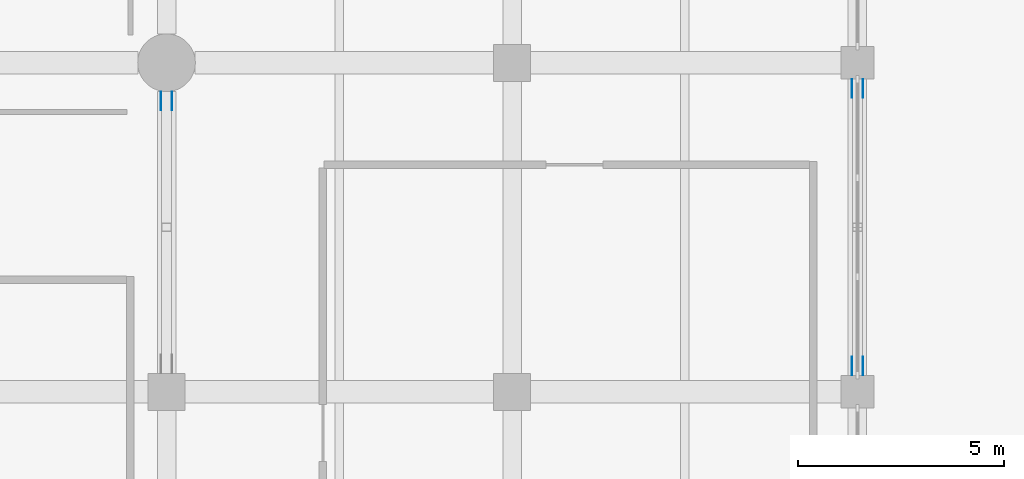
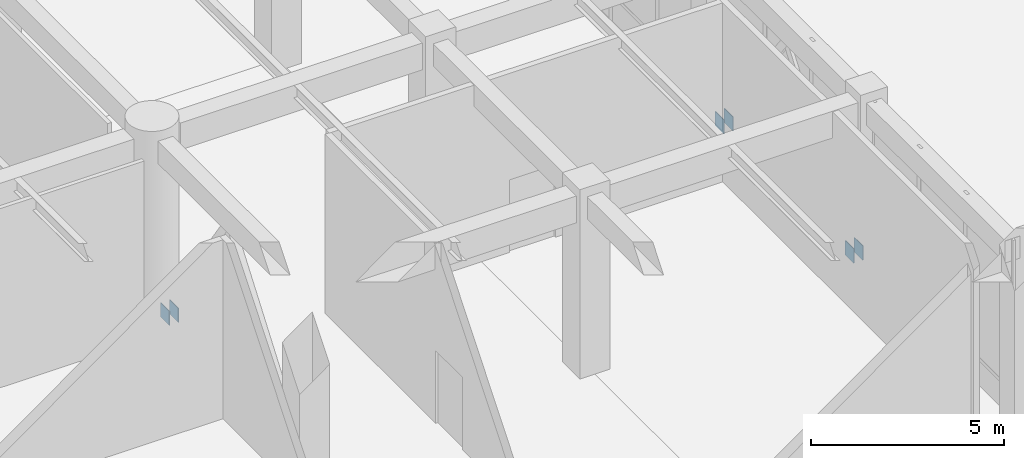
# One storey, part 64 of 76: 6 discrete accessories.
"""IFC4 building model written with IfcOpenShell, lengths in metres."""

from ifc_helpers import new_model, si_unit, direction, frame, origin, origin_2d, place, context, subcontext, project, spatial, rectangle, extrude, material, layer, layer_set, type_object, element, save


model = new_model("IFC4")

# Units and contexts
model_context = context("Model", 3, precision=1e-05, world=origin(), true_north=direction((0.0, 1.0)))
body_context = subcontext(model_context, "Body", "Model", "MODEL_VIEW")
ifc_project = project(units=[si_unit("LENGTHUNIT", "METRE"), si_unit("AREAUNIT", "SQUARE_METRE"), si_unit("VOLUMEUNIT", "CUBIC_METRE"), si_unit("PLANEANGLEUNIT", "RADIAN"), si_unit("MASSUNIT", "GRAM", prefix="KILO")], contexts=[model_context])

# Site, building, storey
site_placement = place(None, origin())
site = spatial("IfcSite", under=ifc_project, at=site_placement, CompositionType="ELEMENT")
building_placement = place(site_placement, origin())
building = spatial("IfcBuilding", under=site, at=building_placement, Name="Naruveol Harbour Congress Hotel", CompositionType="ELEMENT")
storey_placement = place(building_placement, origin())
storey = spatial("IfcBuildingStorey", under=building, at=storey_placement, Name="L00", CompositionType="ELEMENT", Elevation=0.0)

# Discrete accessories
ifc_material = material(Name="Steel SN490", Category="steel")
ifc_layer = layer(ifc_material, 0.02001953125)
ifc_layer_set = layer_set([ifc_layer], Name="Steel SN490")
discrete_accessory_type = type_object("IfcDiscreteAccessoryType", Name="STEEL BRACE GUSSET PLATE 20", PredefinedType="USERDEFINED", material=ifc_layer_set)
for number, where, z_axis, x_axis, name in (
    (1, (50.534912109375, 47.074951171875, 0.10986328125), (0.0, 0.0, 1.0), (0.0, -1.0, 0.0), "Brace gusset plate Lateral chevron brace L00 #7B (A)"),
    (2, (50.264892578125, 47.074951171875, 0.10986328125), (0.0, 0.0, 1.0), (0.0, -1.0, 0.0), "Brace gusset plate Lateral chevron brace L00 #7B (B)"),
    (3, (67.06494140625, 40.625, 0.10986328125), (0.0, 0.0, 1.0), (0.0, 1.0, 0.0), "Brace gusset plate Lateral chevron brace L00 #10A (A)"),
    (4, (67.3349609375, 40.625, 0.10986328125), (0.0, 0.0, 1.0), (0.0, 1.0, 0.0), "Brace gusset plate Lateral chevron brace L00 #10A (B)"),
    (5, (67.3349609375, 47.375, 0.10986328125), (0.0, 0.0, 1.0), (0.0, -1.0, 0.0), "Brace gusset plate Lateral chevron brace L00 #10B (A)"),
    (6, (67.06494140625, 47.375, 0.10986328125), (0.0, 0.0, 1.0), (0.0, -1.0, 0.0), "Brace gusset plate Lateral chevron brace L00 #10B (B)"),
):
    element("IfcDiscreteAccessory", number, at=place(storey_placement, frame(where, z_axis=z_axis, x_axis=x_axis)), inside=storey, type_object=discrete_accessory_type, Name=name, ObjectType="BRACE GUSSET PLATE", PredefinedType="USERDEFINED", context=body_context, shape_type="SweptSolid", body=[
        extrude(rectangle(XDim=0.449951171875, YDim=0.02001953125, at=origin_2d()), origin(), (0.0, 0.0, 1.0), 0.449951171875),
    ])

save(model, "model.ifc")
